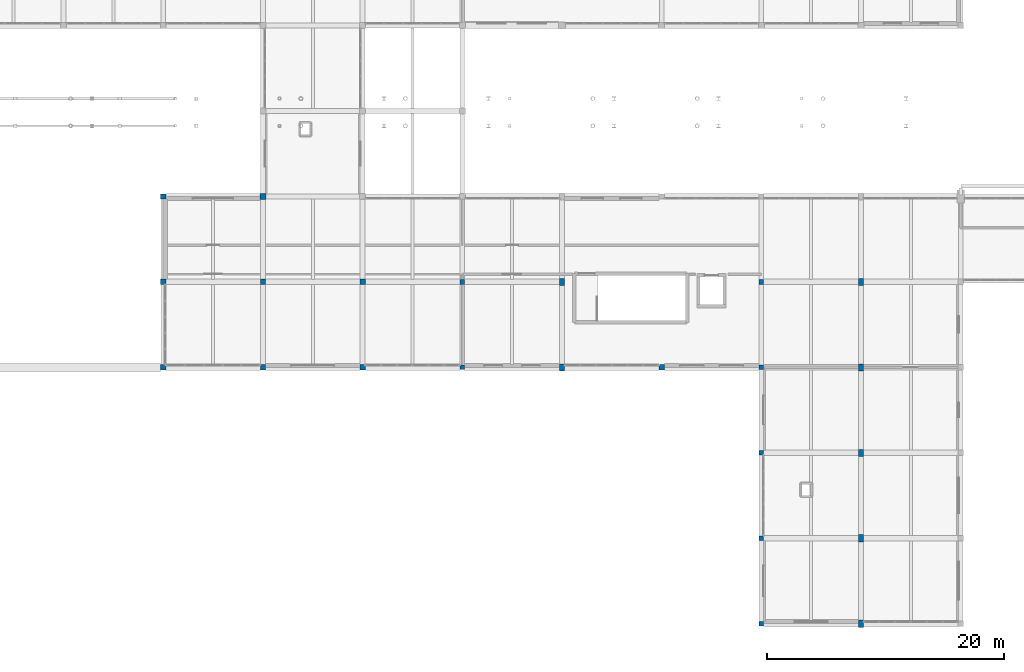
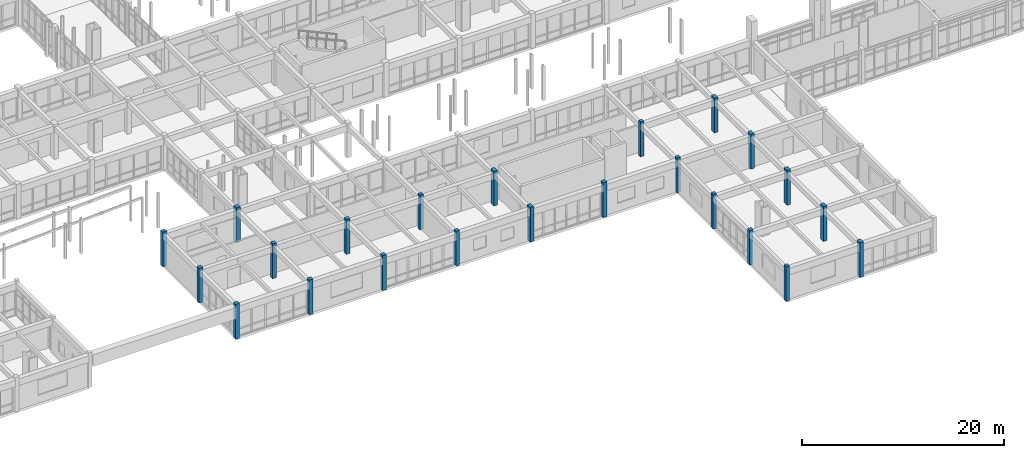
# One storey, part 5 of 147: 23 columns.
"""IFC4 building model written with IfcOpenShell, lengths in metres."""

import ifcopenshell
import ifcopenshell.guid

model = None  # the IFC model being written
_history = None  # IfcOwnerHistory: only IFC2X3 demands one
_inside = {}  # id of a spatial element -> (the spatial element, [elements in it])
_under = {}  # id of a project, library or spatial element -> (it, [spatial elements below it])
_declared = {}  # id of a project -> (the project, [libraries it declares])
_typed = {}  # id of a type object -> (the type object, [elements of that type])
_made_of = {}  # id of a material, layer set ... -> (it, [elements and type objects made of it])


def new_model(schema):
    """Start an empty IFC model of exactly this schema.

    Asked for "IFC4X3", IfcOpenShell would pick the latest addendum, in which some entities
    have other attributes; the version numbers below select the first issue.
    IFC2X3 requires an IfcOwnerHistory on every rooted entity: one is made here for all.
    """
    global model, _history
    if schema == "IFC4X3":
        model = ifcopenshell.file(schema_version=(4, 3, 0, 0))
    else:
        model = ifcopenshell.file(schema=schema)
    _inside.clear()
    _under.clear()
    _declared.clear()
    _typed.clear()
    _made_of.clear()
    _history = None
    if model.schema == "IFC2X3":
        org = make("IfcOrganization", Name="unknown")
        user = make(
            "IfcPersonAndOrganization",
            ThePerson=make("IfcPerson", FamilyName="unknown"),
            TheOrganization=org,
        )
        app = make(
            "IfcApplication",
            ApplicationDeveloper=org,
            Version="unknown",
            ApplicationFullName="unknown",
            ApplicationIdentifier="unknown",
        )
        _history = make(
            "IfcOwnerHistory",
            OwningUser=user,
            OwningApplication=app,
            ChangeAction="ADDED",
            CreationDate=0,
        )
    return model


def make(cls, **values):
    """One entity of the class cls with the attributes given. An attribute that is None is left unset."""
    return model.create_entity(
        cls, **{name: value for name, value in values.items() if value is not None}
    )


def rooted(cls, **values):
    """An entity with a GlobalId (a new one), such as an element, a storey or a relation."""
    return make(cls, GlobalId=ifcopenshell.guid.new(), OwnerHistory=_history, **values)


def si_unit(unit_type, name, prefix=None):
    """IfcSIUnit, for example si_unit("LENGTHUNIT", "METRE", prefix="MILLI")."""
    return make("IfcSIUnit", UnitType=unit_type, Prefix=prefix, Name=name)


def assignment(units):
    """IfcUnitAssignment: the units of a project."""
    return None if units is None else make("IfcUnitAssignment", Units=units)


def point(xyz):
    """IfcCartesianPoint."""
    return None if xyz is None else make("IfcCartesianPoint", Coordinates=xyz)


def direction(xyz):
    """IfcDirection."""
    return None if xyz is None else make("IfcDirection", DirectionRatios=xyz)


def frame(location, z_axis=None, x_axis=None):
    """IfcAxis2Placement3D, a coordinate frame: its origin and axes. An axis left out is left unset."""
    return make(
        "IfcAxis2Placement3D",
        Location=point(location),
        Axis=direction(z_axis),
        RefDirection=direction(x_axis),
    )


def frame_2d(location, x_axis=None):
    """IfcAxis2Placement2D, a coordinate frame in the plane: its origin and x axis."""
    return make(
        "IfcAxis2Placement2D", Location=point(location), RefDirection=direction(x_axis)
    )


def origin():
    """The frame at (0, 0, 0) with its axes left unset."""
    return frame((0.0, 0.0, 0.0))


def origin_2d():
    """The frame at (0, 0) in the plane with its x axis left unset."""
    return frame_2d((0.0, 0.0))


def place(relative_to, where):
    """IfcLocalPlacement: puts the frame where relative to a parent placement (None: the world)."""
    return make(
        "IfcLocalPlacement", PlacementRelTo=relative_to, RelativePlacement=where
    )


def context(
    kind, dimensions, precision=None, world=None, true_north=None, identifier=None
):
    """IfcGeometricRepresentationContext, for example the 3D "Model" context."""
    return make(
        "IfcGeometricRepresentationContext",
        ContextIdentifier=identifier,
        ContextType=kind,
        CoordinateSpaceDimension=dimensions,
        Precision=precision,
        WorldCoordinateSystem=world,
        TrueNorth=true_north,
    )


def subcontext(parent, identifier, kind, view, scale=None):
    """IfcGeometricRepresentationSubContext, for example "Body" below "Model"."""
    return make(
        "IfcGeometricRepresentationSubContext",
        ContextIdentifier=identifier,
        ContextType=kind,
        ParentContext=parent,
        TargetScale=scale,
        TargetView=view,
    )


def project(units=None, contexts=None):
    """IfcProject with its units and contexts."""
    return rooted(
        "IfcProject",
        Name="project",
        RepresentationContexts=contexts,
        UnitsInContext=assignment(units),
    )


def spatial(cls, under=None, at=None, **own):
    """A site, building, storey or space (cls), placed at a placement, below another one or the project."""
    s = rooted(cls, ObjectPlacement=at, **own)
    if under is not None:
        _under.setdefault(under.id(), (under, []))[1].append(s)
    return s


def profile(cls, at=None, kind="AREA", **sizes):
    """A parametric profile (cls). Its sizes go by their IFC names, for example OverallWidth=200.0."""
    return make(cls, ProfileType=kind, Position=at, **sizes)


def rectangle(**sizes):
    """IfcRectangleProfileDef."""
    return profile("IfcRectangleProfileDef", **sizes)


def extrude(swept, where, along, depth):
    """IfcExtrudedAreaSolid: the profile swept, set in the frame where, extruded along a direction by depth."""
    return make(
        "IfcExtrudedAreaSolid",
        SweptArea=swept,
        Position=where,
        ExtrudedDirection=direction(along),
        Depth=depth,
    )


def shape(context_of_items, identifier, shape_type, items):
    """IfcShapeRepresentation: the items that make up one representation, for example the "Body"."""
    return make(
        "IfcShapeRepresentation",
        ContextOfItems=context_of_items,
        RepresentationIdentifier=identifier,
        RepresentationType=shape_type,
        Items=items,
    )


def material(Name=None, Category=None):
    """IfcMaterial."""
    return make("IfcMaterial", Name=Name, Category=Category)


def material_profile(
    of_material, cross_section, Name=None, Category=None, Priority=None
):
    """IfcMaterialProfile: a cross section and its material."""
    return make(
        "IfcMaterialProfile",
        Name=Name,
        Material=of_material,
        Profile=cross_section,
        Priority=Priority,
        Category=Category,
    )


def profile_set(profiles, Name=None, composite=None):
    """IfcMaterialProfileSet."""
    return make(
        "IfcMaterialProfileSet",
        Name=Name,
        MaterialProfiles=profiles,
        CompositeProfile=composite,
    )


def made_of(thing, what):
    """Note that an element or type object is made of a material, layer set ...; save() writes the relation."""
    if what is not None:
        _made_of.setdefault(what.id(), (what, []))[1].append(thing)
    return thing


def type_object(cls, material=None, **own):
    """A type object (cls), such as IfcWallType, which elements share."""
    return made_of(rooted(cls, **own), material)


def element(
    cls,
    number,
    at=None,
    inside=None,
    cuts=None,
    type_object=None,
    material=None,
    context=None,
    identifier="Body",
    shape_type=None,
    held_by="IfcProductDefinitionShape",
    body=None,
    shapes=None,
    **own,
):
    """One element of the class cls, such as IfcWall. Its Tag is "e" and its number.

    at: its placement. inside: the storey or other place that contains it. cuts: it is an
    opening in that element (IfcRelVoidsElement). A single representation is given by context,
    identifier, shape_type and body (its items); several are given by shapes. held_by: the class
    of the entity that holds the representations. save() writes the other relations.
    """
    e = rooted(cls, Tag="e%d" % number, ObjectPlacement=at, **own)
    if body is not None:
        shapes = [shape(context, identifier, shape_type, body)]
    if shapes is not None:
        e.Representation = make(held_by, Representations=shapes)
    if inside is not None:
        _inside.setdefault(inside.id(), (inside, []))[1].append(e)
    if cuts is not None:
        rooted(
            "IfcRelVoidsElement", RelatingBuildingElement=cuts, RelatedOpeningElement=e
        )
    if type_object is not None:
        _typed.setdefault(type_object.id(), (type_object, []))[1].append(e)
    return made_of(e, material)


def aggregate(whole, parts):
    """IfcRelAggregates: a whole, such as a stair, and the parts it consists of."""
    return rooted("IfcRelAggregates", RelatingObject=whole, RelatedObjects=parts)


def save(model, path):
    """Write the relations noted so far, then the file.

    IfcRelAggregates (storeys below a building ...), IfcRelContainedInSpatialStructure (elements
    in a storey), IfcRelDefinesByType, IfcRelAssociatesMaterial and IfcRelDeclares: one each for
    every whole, place, type object, material and project.
    """
    for whole, parts in _under.values():
        aggregate(whole, parts)
    for where, things in _inside.values():
        rooted(
            "IfcRelContainedInSpatialStructure",
            RelatedElements=things,
            RelatingStructure=where,
        )
    for kind, things in _typed.values():
        rooted("IfcRelDefinesByType", RelatedObjects=things, RelatingType=kind)
    for what, things in _made_of.values():
        rooted("IfcRelAssociatesMaterial", RelatedObjects=things, RelatingMaterial=what)
    for by, libraries in _declared.values():
        rooted("IfcRelDeclares", RelatingContext=by, RelatedDefinitions=libraries)
    model.write(path)


model = new_model("IFC4")

# Units and contexts
model_context = context("Model", 3, precision=1e-05, world=origin(), true_north=direction((0.0, 1.0)))
body_context = subcontext(model_context, "Body", "Model", "MODEL_VIEW")
ifc_project = project(units=[si_unit("LENGTHUNIT", "METRE"), si_unit("AREAUNIT", "SQUARE_METRE"), si_unit("VOLUMEUNIT", "CUBIC_METRE"), si_unit("PLANEANGLEUNIT", "RADIAN"), si_unit("MASSUNIT", "GRAM", prefix="KILO")], contexts=[model_context])

# Site, building, storey
site_placement = place(None, origin())
site = spatial("IfcSite", under=ifc_project, at=site_placement, CompositionType="ELEMENT")
building_placement = place(site_placement, origin())
building = spatial("IfcBuilding", under=site, at=building_placement, Name="Malvenik Polytechnic", CompositionType="ELEMENT")
storey_placement = place(building_placement, frame((0.0, 0.0, 5.10009765625)))
storey = spatial("IfcBuildingStorey", under=building, at=storey_placement, Name="L01", CompositionType="ELEMENT", Elevation=5.10009765625)

# Columns
ifc_material_1 = material(Name="Concrete C35/45", Category="concrete")
ifc_material_profile_1 = material_profile(ifc_material_1, rectangle(XDim=0.5, YDim=0.5, at=origin_2d()), Name="RC COL 500x500")
ifc_profile_set_1 = profile_set([ifc_material_profile_1], Name="Concrete C35/45")
column_type_1 = type_object("IfcColumnType", Name="STR-COL-C-08", PredefinedType="COLUMN", material=ifc_profile_set_1)
column_placement = place(storey_placement, frame((75.60009765625, 36.0, 0.0), z_axis=(0.0, 0.0, 1.0), x_axis=(1.0, 0.0, 0.0)))
element("IfcColumn", 1, at=column_placement, inside=storey, type_object=column_type_1, Name="Column C-08 L01 (75.6,36.0)", PredefinedType="COLUMN", context=body_context, shape_type="SweptSolid", body=[
    extrude(rectangle(XDim=0.5, YDim=0.5, at=origin_2d()), origin(), (0.0, 0.0, 1.0), 4.199951171875),
])
ifc_material_profile_2 = material_profile(ifc_material_1, rectangle(XDim=0.449951171875, YDim=0.449951171875, at=origin_2d()), Name="RC COL 450x450")
ifc_profile_set_2 = profile_set([ifc_material_profile_2], Name="Concrete C35/45")
column_type_2 = type_object("IfcColumnType", Name="STR-COL-C-09", PredefinedType="COLUMN", material=ifc_profile_set_2)
for number, where, z_axis, x_axis, name in (
    (2, (67.199951171875, 21.60009765625, 0.0), (0.0, 0.0, 1.0), (1.0, 0.0, 0.0), "Column C-09 L01 (67.2,21.6)"),
    (3, (67.199951171875, 28.800048828125, 0.0), (0.0, 0.0, 1.0), (1.0, 0.0, 0.0), "Column C-09 L01 (67.2,28.8)"),
    (4, (67.199951171875, 36.0, 0.0), (0.0, 0.0, 1.0), (1.0, 0.0, 0.0), "Column C-09 L01 (67.2,36.0)"),
    (5, (75.60009765625, 21.60009765625, 0.0), (0.0, 0.0, 1.0), (1.0, 0.0, 0.0), "Column C-09 L01 (75.6,21.6)"),
    (6, (75.60009765625, 28.800048828125, 0.0), (0.0, 0.0, 1.0), (1.0, 0.0, 0.0), "Column C-09 L01 (75.6,28.8)"),
    (7, (84.0, 21.60009765625, 0.0), (0.0, 0.0, 1.0), (1.0, 0.0, 0.0), "Column C-09 L01 (84.0,21.6)"),
    (8, (84.0, 28.800048828125, 0.0), (0.0, 0.0, 1.0), (1.0, 0.0, 0.0), "Column C-09 L01 (84.0,28.8)"),
    (9, (109.199951171875, 21.60009765625, 0.0), (0.0, 0.0, 1.0), (1.0, 0.0, 0.0), "Column C-09 L01 (109.2,21.6)"),
):
    element("IfcColumn", number, at=place(storey_placement, frame(where, z_axis=z_axis, x_axis=x_axis)), inside=storey, type_object=column_type_2, Name=name, PredefinedType="COLUMN", context=body_context, shape_type="SweptSolid", body=[
        extrude(rectangle(XDim=0.449951171875, YDim=0.449951171875, at=origin_2d()), origin(), (0.0, 0.0, 1.0), 4.199951171875),
    ])
ifc_material_2 = material(Name="Concrete C30/37", Category="concrete")
ifc_material_profile_3 = material_profile(ifc_material_2, rectangle(XDim=0.39990234375, YDim=0.39990234375, at=origin_2d()), Name="RC COL 400x400")
ifc_profile_set_3 = profile_set([ifc_material_profile_3], Name="Concrete C30/37")
column_type_3 = type_object("IfcColumnType", Name="STR-COL-C-10", PredefinedType="COLUMN", material=ifc_profile_set_3)
for number, where, z_axis, x_axis, name in (
    (10, (92.39990234375, 21.60009765625, 0.0), (0.0, 0.0, 1.0), (1.0, 0.0, 0.0), "Column C-10 L01 (92.4,21.6)"),
    (11, (92.39990234375, 28.800048828125, 0.0), (0.0, 0.0, 1.0), (1.0, 0.0, 0.0), "Column C-10 L01 (92.4,28.8)"),
    (12, (117.60009765625, 0.0, 0.0), (0.0, 0.0, 1.0), (1.0, 0.0, 0.0), "Column C-10 L01 (117.6,0.0)"),
    (13, (117.60009765625, 7.199951171875, 0.0), (0.0, 0.0, 1.0), (1.0, 0.0, 0.0), "Column C-10 L01 (117.6,7.2)"),
    (14, (117.60009765625, 14.39990234375, 0.0), (0.0, 0.0, 1.0), (1.0, 0.0, 0.0), "Column C-10 L01 (117.6,14.4)"),
    (15, (117.60009765625, 21.60009765625, 0.0), (0.0, 0.0, 1.0), (1.0, 0.0, 0.0), "Column C-10 L01 (117.6,21.6)"),
    (16, (117.60009765625, 28.800048828125, 0.0), (0.0, 0.0, 1.0), (1.0, 0.0, 0.0), "Column C-10 L01 (117.6,28.8)"),
):
    element("IfcColumn", number, at=place(storey_placement, frame(where, z_axis=z_axis, x_axis=x_axis)), inside=storey, type_object=column_type_3, Name=name, PredefinedType="COLUMN", context=body_context, shape_type="SweptSolid", body=[
        extrude(rectangle(XDim=0.39990234375, YDim=0.39990234375, at=origin_2d()), origin(), (0.0, 0.0, 1.0), 4.199951171875),
    ])
ifc_material_profile_4 = material_profile(ifc_material_1, rectangle(XDim=0.39990234375, YDim=0.60009765625, at=origin_2d()), Name="RC COL 600x400")
ifc_profile_set_4 = profile_set([ifc_material_profile_4], Name="Concrete C35/45")
column_type_4 = type_object("IfcColumnType", Name="STR-COL-C-15", PredefinedType="COLUMN", material=ifc_profile_set_4)
for number, where, z_axis, x_axis, name in (
    (17, (100.800048828125, 21.60009765625, 0.0), (0.0, 0.0, 1.0), (1.0, 0.0, 0.0), "Column C-15 L01 (100.8,21.6)"),
    (18, (100.800048828125, 28.800048828125, 0.0), (0.0, 0.0, 1.0), (1.0, 0.0, 0.0), "Column C-15 L01 (100.8,28.8)"),
    (19, (126.0, 0.0, 0.0), (0.0, 0.0, 1.0), (1.0, 0.0, 0.0), "Column C-15 L01 (126.0,0.0)"),
    (20, (126.0, 7.199951171875, 0.0), (0.0, 0.0, 1.0), (1.0, 0.0, 0.0), "Column C-15 L01 (126.0,7.2)"),
    (21, (126.0, 14.39990234375, 0.0), (0.0, 0.0, 1.0), (1.0, 0.0, 0.0), "Column C-15 L01 (126.0,14.4)"),
    (22, (126.0, 21.60009765625, 0.0), (0.0, 0.0, 1.0), (1.0, 0.0, 0.0), "Column C-15 L01 (126.0,21.6)"),
    (23, (126.0, 28.800048828125, 0.0), (0.0, 0.0, 1.0), (1.0, 0.0, 0.0), "Column C-15 L01 (126.0,28.8)"),
):
    element("IfcColumn", number, at=place(storey_placement, frame(where, z_axis=z_axis, x_axis=x_axis)), inside=storey, type_object=column_type_4, Name=name, PredefinedType="COLUMN", context=body_context, shape_type="SweptSolid", body=[
        extrude(rectangle(XDim=0.39990234375, YDim=0.60009765625, at=origin_2d()), origin(), (0.0, 0.0, 1.0), 4.199951171875),
    ])

save(model, "model.ifc")
